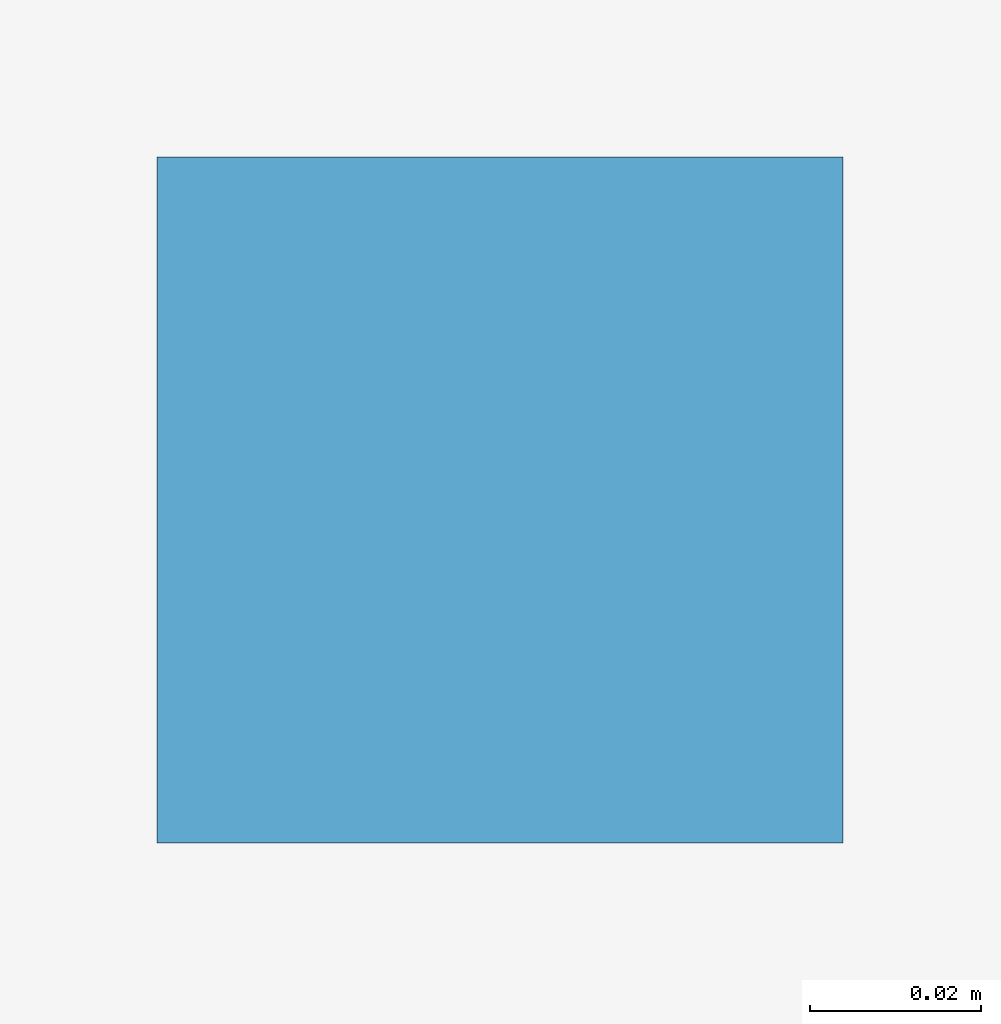
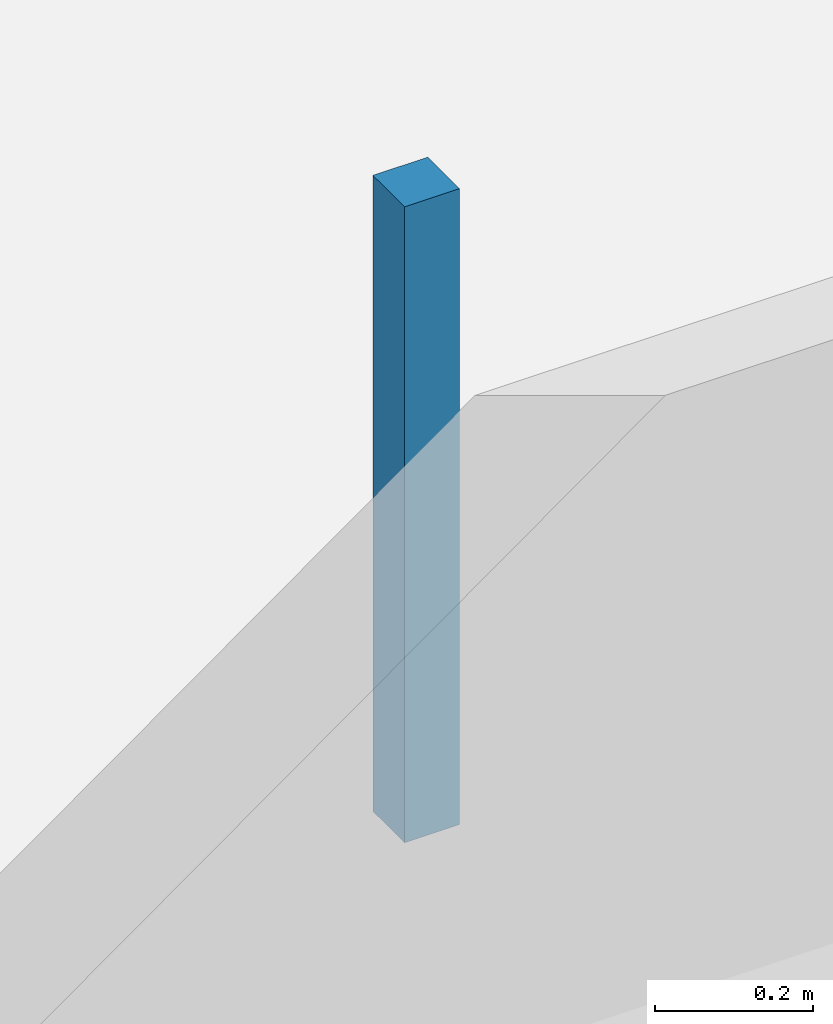
# One storey, part 11 of 16: 1 discrete accessory.
"""IFC4 building model written with IfcOpenShell, lengths in metres."""

from ifc_helpers import new_model, si_unit, direction, frame, origin, origin_2d, place, context, subcontext, project, spatial, rectangle, extrude, source, transform, mapped, material, type_object, element, save


model = new_model("IFC4")

# Units and contexts
model_context = context("Model", 3, precision=1e-05, world=origin(), true_north=direction((0.0, 1.0)))
body_context = subcontext(model_context, "Body", "Model", "MODEL_VIEW")
ifc_project = project(units=[si_unit("LENGTHUNIT", "METRE"), si_unit("AREAUNIT", "SQUARE_METRE"), si_unit("VOLUMEUNIT", "CUBIC_METRE"), si_unit("PLANEANGLEUNIT", "RADIAN"), si_unit("MASSUNIT", "GRAM", prefix="KILO")], contexts=[model_context])

# Site, building, storey
site_placement = place(None, origin())
site = spatial("IfcSite", under=ifc_project, at=site_placement, CompositionType="ELEMENT")
building_placement = place(site_placement, origin())
building = spatial("IfcBuilding", under=site, at=building_placement, Name="Giltprow Tower", CompositionType="ELEMENT")
storey_placement = place(building_placement, frame((0.0, 0.0, 83.5)))
storey = spatial("IfcBuildingStorey", under=building, at=storey_placement, Name="L20", CompositionType="ELEMENT", Elevation=83.5)

# Discrete accessory
ifc_material = material(Name="Structural steel Q355B", Category="steel")
discrete_accessory_type = type_object("IfcDiscreteAccessoryType", Name="ACC-CLG-HANGER", PredefinedType="BRACKET", material=ifc_material)
shared_shape = source(origin(), body_context, "Body", "SweptSolid", [
    extrude(rectangle(XDim=0.080078125, YDim=0.080078125, at=origin_2d()), origin(), (0.0, 0.0, 1.0), 0.97998046875),
])
discrete_accessory_placement = place(storey_placement, frame((25.39990234375, 20.51806640625, 2.719970703125), z_axis=(0.0, 0.0, 1.0), x_axis=(1.0, 0.0, 0.0)))
element("IfcDiscreteAccessory", 1, at=discrete_accessory_placement, inside=storey, type_object=discrete_accessory_type, Name="L20 Office Acoustic Ceiling Suspension Hanger", PredefinedType="BRACKET", context=body_context, shape_type="MappedRepresentation", body=[
    mapped(shared_shape, transform((0.0, 0.0, 0.0), x_axis=(1.0, 0.0, 0.0), y_axis=(0.0, 1.0, 0.0), z_axis=(0.0, 0.0, 1.0), scale=1.0)),
])

save(model, "model.ifc")
